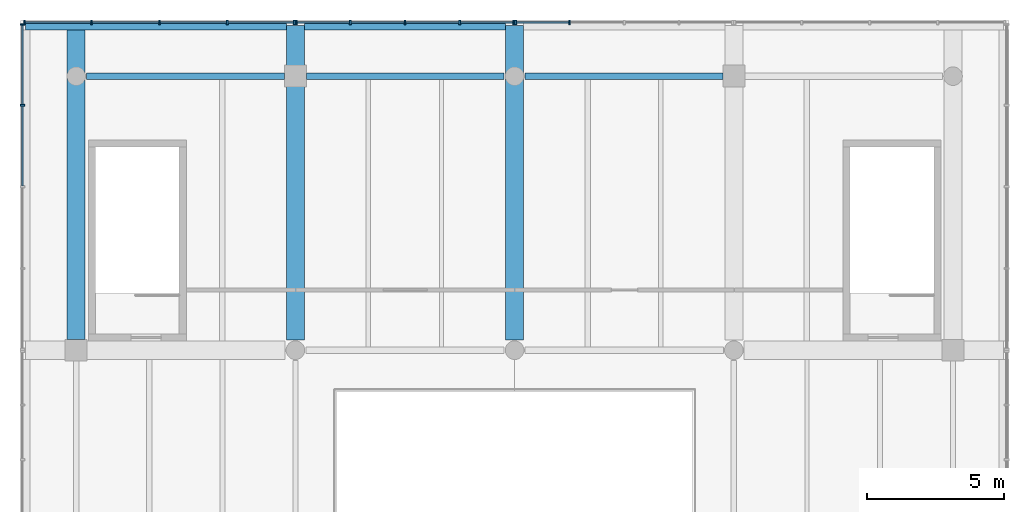
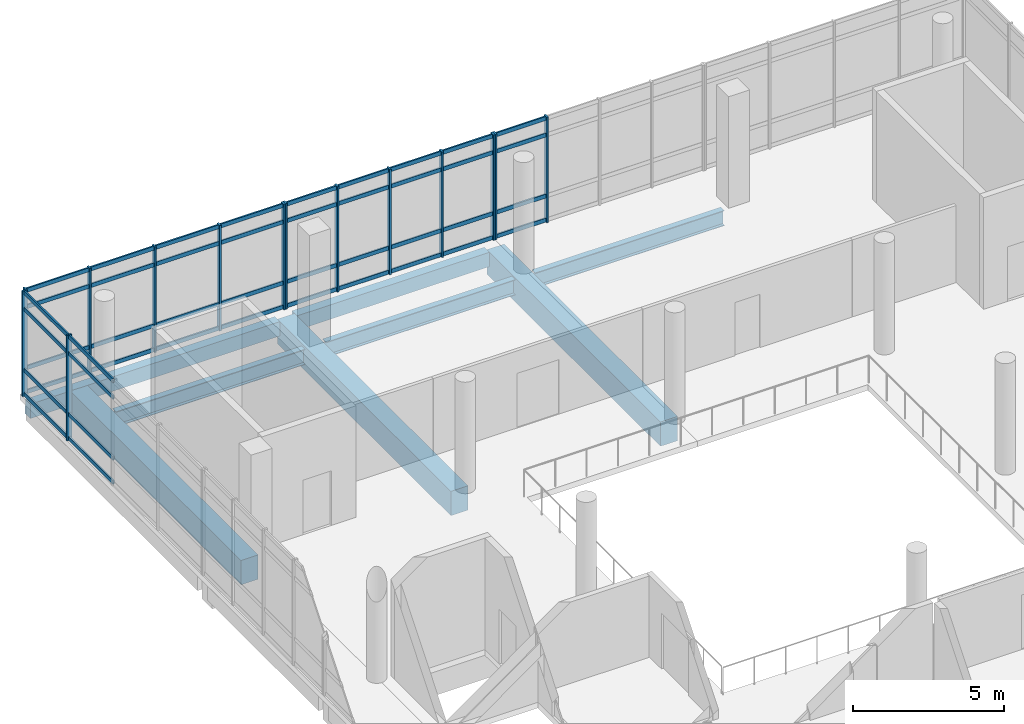
# One storey, part 8 of 15: 58 members, 8 beams, 4 elements without a shape of their own.
"""IFC4 building model written with IfcOpenShell, lengths in metres."""

from ifc_helpers import new_model, si_unit, direction, frame, origin, origin_2d, place, context, subcontext, project, spatial, rectangle, i_section, extrude, material, material_profile, profile_set, type_object, element, aggregate, save


model = new_model("IFC4")

# Units and contexts
model_context = context("Model", 3, precision=1e-05, world=origin(), true_north=direction((0.0, 1.0)))
body_context = subcontext(model_context, "Body", "Model", "MODEL_VIEW")
ifc_project = project(units=[si_unit("LENGTHUNIT", "METRE"), si_unit("AREAUNIT", "SQUARE_METRE"), si_unit("VOLUMEUNIT", "CUBIC_METRE"), si_unit("PLANEANGLEUNIT", "RADIAN"), si_unit("MASSUNIT", "GRAM", prefix="KILO")], contexts=[model_context])

# Site, building, storey
site_placement = place(None, origin())
site = spatial("IfcSite", under=ifc_project, at=site_placement, CompositionType="ELEMENT")
building_placement = place(site_placement, origin())
building = spatial("IfcBuilding", under=site, at=building_placement, Name="Pecanmere Concourse Central Library", CompositionType="ELEMENT")
storey_placement = place(building_placement, frame((0.0, 0.0, 30.300048828125)))
storey = spatial("IfcBuildingStorey", under=building, at=storey_placement, Name="L07", CompositionType="ELEMENT", Elevation=30.300048828125)

# Curtain wall, members
ifc_material_1 = material(Name="Anodized bronze aluminium alloy 6063-T6", Category="aluminium")
curtain_wall_type = type_object("IfcCurtainWallType", Name="CW_PLUMB_BANDED", PredefinedType="USERDEFINED", material=ifc_material_1)
curtain_wall_1_placement = place(storey_placement, origin())
curtain_wall_1 = element("IfcCurtainWall", 1, at=curtain_wall_1_placement, inside=storey, type_object=curtain_wall_type, Name="Unitised Curtain Wall CW-02 L07-086", ObjectType="UNITISED CURTAIN WALL", PredefinedType="USERDEFINED")
ifc_material_2 = material(Name="Anodized bronze aluminium alloy 6063-T6", Category="aluminium")
ifc_material_profile_1 = material_profile(ifc_material_2, rectangle(XDim=0.06494140625, YDim=0.179931640625, at=origin_2d()), Name="AL 65x180")
ifc_profile_set_1 = profile_set([ifc_material_profile_1], Name="Anodized bronze aluminium alloy 6063-T6")
member_type_1 = type_object("IfcMemberType", Name="CWM_180x65", PredefinedType="MULLION", material=ifc_profile_set_1)
member_1_placement = place(storey_placement, frame((90.00244140625, 125.96142578125, 0.0), z_axis=(0.0, 0.0, 1.0), x_axis=(-1.0, 0.0, 0.0)))
member_1 = element("IfcMember", 2, at=member_1_placement, type_object=member_type_1, Name="CW-02 Mullion 4", PredefinedType="MULLION", context=body_context, shape_type="SweptSolid", body=[
    extrude(rectangle(XDim=0.06494140625, YDim=0.179931640625, at=origin_2d()), origin(), (0.0, 0.0, 1.0), 4.260009765625),
])
member_2_placement = place(storey_placement, frame((88.03759765625, 125.96142578125, 0.0), z_axis=(0.0, 0.0, 1.0), x_axis=(-1.0, 0.0, 0.0)))
member_2 = element("IfcMember", 3, at=member_2_placement, type_object=member_type_1, Name="CW-02 Mullion 5", PredefinedType="MULLION", context=body_context, shape_type="SweptSolid", body=[
    extrude(rectangle(XDim=0.06494140625, YDim=0.179931640625, at=origin_2d()), origin(), (0.0, 0.0, 1.0), 4.260009765625),
])

curtain_wall_2_placement = place(storey_placement, origin())
curtain_wall_2 = element("IfcCurtainWall", 4, at=curtain_wall_2_placement, inside=storey, type_object=curtain_wall_type, Name="Unitised Curtain Wall CW-02 L07-087", ObjectType="UNITISED CURTAIN WALL", PredefinedType="USERDEFINED")
member_3_placement = place(storey_placement, frame((87.96240234375, 125.96142578125, 0.0), z_axis=(0.0, 0.0, 1.0), x_axis=(-1.0, 0.0, 0.0)))
member_3 = element("IfcMember", 5, at=member_3_placement, type_object=member_type_1, Name="CW-02 Mullion 1", PredefinedType="MULLION", context=body_context, shape_type="SweptSolid", body=[
    extrude(rectangle(XDim=0.06494140625, YDim=0.179931640625, at=origin_2d()), origin(), (0.0, 0.0, 1.0), 4.260009765625),
])
member_4_placement = place(storey_placement, frame((85.99755859375, 125.96142578125, 0.0), z_axis=(0.0, 0.0, 1.0), x_axis=(-1.0, 0.0, 0.0)))
member_4 = element("IfcMember", 6, at=member_4_placement, type_object=member_type_1, Name="CW-02 Mullion 2", PredefinedType="MULLION", context=body_context, shape_type="SweptSolid", body=[
    extrude(rectangle(XDim=0.06494140625, YDim=0.179931640625, at=origin_2d()), origin(), (0.0, 0.0, 1.0), 4.260009765625),
])
member_5_placement = place(storey_placement, frame((84.0, 125.96142578125, 0.0), z_axis=(0.0, 0.0, 1.0), x_axis=(-1.0, 0.0, 0.0)))
member_5 = element("IfcMember", 7, at=member_5_placement, type_object=member_type_1, Name="CW-02 Mullion 3", PredefinedType="MULLION", context=body_context, shape_type="SweptSolid", body=[
    extrude(rectangle(XDim=0.06494140625, YDim=0.179931640625, at=origin_2d()), origin(), (0.0, 0.0, 1.0), 4.260009765625),
])
member_6_placement = place(storey_placement, frame((82.00244140625, 125.96142578125, 0.0), z_axis=(0.0, 0.0, 1.0), x_axis=(-1.0, 0.0, 0.0)))
member_6 = element("IfcMember", 8, at=member_6_placement, type_object=member_type_1, Name="CW-02 Mullion 4", PredefinedType="MULLION", context=body_context, shape_type="SweptSolid", body=[
    extrude(rectangle(XDim=0.06494140625, YDim=0.179931640625, at=origin_2d()), origin(), (0.0, 0.0, 1.0), 4.260009765625),
])
member_7_placement = place(storey_placement, frame((80.03759765625, 125.96142578125, 0.0), z_axis=(0.0, 0.0, 1.0), x_axis=(-1.0, 0.0, 0.0)))
member_7 = element("IfcMember", 9, at=member_7_placement, type_object=member_type_1, Name="CW-02 Mullion 5", PredefinedType="MULLION", context=body_context, shape_type="SweptSolid", body=[
    extrude(rectangle(XDim=0.06494140625, YDim=0.179931640625, at=origin_2d()), origin(), (0.0, 0.0, 1.0), 4.260009765625),
])

curtain_wall_3_placement = place(storey_placement, origin())
curtain_wall_3 = element("IfcCurtainWall", 10, at=curtain_wall_3_placement, inside=storey, type_object=curtain_wall_type, Name="Unitised Curtain Wall CW-02 L07-088", ObjectType="UNITISED CURTAIN WALL", PredefinedType="USERDEFINED")
member_8_placement = place(storey_placement, frame((79.96240234375, 125.96142578125, 0.0), z_axis=(0.0, 0.0, 1.0), x_axis=(-1.0, 0.0, 0.0)))
member_8 = element("IfcMember", 11, at=member_8_placement, type_object=member_type_1, Name="CW-02 Mullion 1", PredefinedType="MULLION", context=body_context, shape_type="SweptSolid", body=[
    extrude(rectangle(XDim=0.06494140625, YDim=0.179931640625, at=origin_2d()), origin(), (0.0, 0.0, 1.0), 4.260009765625),
])
member_9_placement = place(storey_placement, frame((77.515869140625, 125.96142578125, 0.0), z_axis=(0.0, 0.0, 1.0), x_axis=(-1.0, 0.0, 0.0)))
member_9 = element("IfcMember", 12, at=member_9_placement, type_object=member_type_1, Name="CW-02 Mullion 2", PredefinedType="MULLION", context=body_context, shape_type="SweptSolid", body=[
    extrude(rectangle(XDim=0.06494140625, YDim=0.179931640625, at=origin_2d()), origin(), (0.0, 0.0, 1.0), 4.260009765625),
])
member_10_placement = place(storey_placement, frame((75.036865234375, 125.96142578125, 0.0), z_axis=(0.0, 0.0, 1.0), x_axis=(-1.0, 0.0, 0.0)))
member_10 = element("IfcMember", 13, at=member_10_placement, type_object=member_type_1, Name="CW-02 Mullion 3", PredefinedType="MULLION", context=body_context, shape_type="SweptSolid", body=[
    extrude(rectangle(XDim=0.06494140625, YDim=0.179931640625, at=origin_2d()), origin(), (0.0, 0.0, 1.0), 4.260009765625),
])
member_11_placement = place(storey_placement, frame((72.5576171875, 125.96142578125, 0.0), z_axis=(0.0, 0.0, 1.0), x_axis=(-1.0, 0.0, 0.0)))
member_11 = element("IfcMember", 14, at=member_11_placement, type_object=member_type_1, Name="CW-02 Mullion 4", PredefinedType="MULLION", context=body_context, shape_type="SweptSolid", body=[
    extrude(rectangle(XDim=0.06494140625, YDim=0.179931640625, at=origin_2d()), origin(), (0.0, 0.0, 1.0), 4.260009765625),
])
member_12_placement = place(storey_placement, frame((70.111083984375, 125.96142578125, 0.0), z_axis=(0.0, 0.0, 1.0), x_axis=(-1.0, 0.0, 0.0)))
member_12 = element("IfcMember", 15, at=member_12_placement, type_object=member_type_1, Name="CW-02 Mullion 5", PredefinedType="MULLION", context=body_context, shape_type="SweptSolid", body=[
    extrude(rectangle(XDim=0.06494140625, YDim=0.179931640625, at=origin_2d()), origin(), (0.0, 0.0, 1.0), 4.260009765625),
])

curtain_wall_4_placement = place(storey_placement, origin())
curtain_wall_4 = element("IfcCurtainWall", 16, at=curtain_wall_4_placement, inside=storey, type_object=curtain_wall_type, Name="Unitised Curtain Wall CW-02 L07-097", ObjectType="UNITISED CURTAIN WALL", PredefinedType="USERDEFINED")
member_13_placement = place(storey_placement, frame((70.03857421875, 125.888916015625, 0.0), z_axis=(0.0, 0.0, 1.0), x_axis=(0.0, -1.0, 0.0)))
member_13 = element("IfcMember", 17, at=member_13_placement, type_object=member_type_1, Name="CW-02 Mullion 1", PredefinedType="MULLION", context=body_context, shape_type="SweptSolid", body=[
    extrude(rectangle(XDim=0.06494140625, YDim=0.179931640625, at=origin_2d()), origin(), (0.0, 0.0, 1.0), 4.260009765625),
])
member_14_placement = place(storey_placement, frame((70.03857421875, 122.9423828125, 0.0), z_axis=(0.0, 0.0, 1.0), x_axis=(0.0, -1.0, 0.0)))
member_14 = element("IfcMember", 18, at=member_14_placement, type_object=member_type_1, Name="CW-02 Mullion 2", PredefinedType="MULLION", context=body_context, shape_type="SweptSolid", body=[
    extrude(rectangle(XDim=0.06494140625, YDim=0.179931640625, at=origin_2d()), origin(), (0.0, 0.0, 1.0), 4.260009765625),
])

# Member
ifc_material_3 = material(Name="Anodized bronze aluminium alloy 6063-T6", Category="aluminium")
ifc_material_profile_2 = material_profile(ifc_material_3, rectangle(XDim=0.06005859375, YDim=0.159912109375, at=origin_2d()), Name="AL 60x160")
ifc_profile_set_2 = profile_set([ifc_material_profile_2], Name="Anodized bronze aluminium alloy 6063-T6")
member_type_2 = type_object("IfcMemberType", Name="CWT_160x60", PredefinedType="USERDEFINED", material=ifc_profile_set_2)
member_15_placement = place(storey_placement, frame((89.969970703125, 125.96142578125, 0.079833984375), z_axis=(-1.0, 0.0, 0.0), x_axis=(0.0, -1.0, 0.0)))
member_15 = element("IfcMember", 19, at=member_15_placement, type_object=member_type_2, Name="CW-02 Transom 4.1", ObjectType="TRANSOM", PredefinedType="USERDEFINED", context=body_context, shape_type="SweptSolid", body=[
    extrude(rectangle(XDim=0.06005859375, YDim=0.159912109375, at=origin_2d()), origin(), (0.0, 0.0, 1.0), 1.89990234375),
])

member_16_placement = place(storey_placement, frame((89.969970703125, 125.96142578125, 1.050048828125), z_axis=(-1.0, 0.0, 0.0), x_axis=(0.0, -1.0, 0.0)))
member_16 = element("IfcMember", 20, at=member_16_placement, type_object=member_type_2, Name="CW-02 Transom 4.2", ObjectType="TRANSOM", PredefinedType="USERDEFINED", context=body_context, shape_type="SweptSolid", body=[
    extrude(rectangle(XDim=0.06005859375, YDim=0.159912109375, at=origin_2d()), origin(), (0.0, 0.0, 1.0), 1.89990234375),
])

member_17_placement = place(storey_placement, frame((89.969970703125, 125.96142578125, 3.510009765625), z_axis=(-1.0, 0.0, 0.0), x_axis=(0.0, -1.0, 0.0)))
member_17 = element("IfcMember", 21, at=member_17_placement, type_object=member_type_2, Name="CW-02 Transom 4.3", ObjectType="TRANSOM", PredefinedType="USERDEFINED", context=body_context, shape_type="SweptSolid", body=[
    extrude(rectangle(XDim=0.06005859375, YDim=0.159912109375, at=origin_2d()), origin(), (0.0, 0.0, 1.0), 1.89990234375),
])

member_18_placement = place(storey_placement, frame((89.969970703125, 125.96142578125, 4.179931640625), z_axis=(-1.0, 0.0, 0.0), x_axis=(0.0, -1.0, 0.0)))
member_18 = element("IfcMember", 22, at=member_18_placement, type_object=member_type_2, Name="CW-02 Transom 4.4", ObjectType="TRANSOM", PredefinedType="USERDEFINED", context=body_context, shape_type="SweptSolid", body=[
    extrude(rectangle(XDim=0.06005859375, YDim=0.159912109375, at=origin_2d()), origin(), (0.0, 0.0, 1.0), 1.89990234375),
])

aggregate(curtain_wall_1, [member_1, member_2, member_15, member_16, member_17, member_18])

member_19_placement = place(storey_placement, frame((87.929931640625, 125.96142578125, 0.079833984375), z_axis=(-1.0, 0.0, 0.0), x_axis=(0.0, -1.0, 0.0)))
member_19 = element("IfcMember", 23, at=member_19_placement, type_object=member_type_2, Name="CW-02 Transom 1.1", ObjectType="TRANSOM", PredefinedType="USERDEFINED", context=body_context, shape_type="SweptSolid", body=[
    extrude(rectangle(XDim=0.06005859375, YDim=0.159912109375, at=origin_2d()), origin(), (0.0, 0.0, 1.0), 1.89990234375),
])

member_20_placement = place(storey_placement, frame((87.929931640625, 125.96142578125, 1.050048828125), z_axis=(-1.0, 0.0, 0.0), x_axis=(0.0, -1.0, 0.0)))
member_20 = element("IfcMember", 24, at=member_20_placement, type_object=member_type_2, Name="CW-02 Transom 1.2", ObjectType="TRANSOM", PredefinedType="USERDEFINED", context=body_context, shape_type="SweptSolid", body=[
    extrude(rectangle(XDim=0.06005859375, YDim=0.159912109375, at=origin_2d()), origin(), (0.0, 0.0, 1.0), 1.89990234375),
])

member_21_placement = place(storey_placement, frame((87.929931640625, 125.96142578125, 3.510009765625), z_axis=(-1.0, 0.0, 0.0), x_axis=(0.0, -1.0, 0.0)))
member_21 = element("IfcMember", 25, at=member_21_placement, type_object=member_type_2, Name="CW-02 Transom 1.3", ObjectType="TRANSOM", PredefinedType="USERDEFINED", context=body_context, shape_type="SweptSolid", body=[
    extrude(rectangle(XDim=0.06005859375, YDim=0.159912109375, at=origin_2d()), origin(), (0.0, 0.0, 1.0), 1.89990234375),
])

member_22_placement = place(storey_placement, frame((87.929931640625, 125.96142578125, 4.179931640625), z_axis=(-1.0, 0.0, 0.0), x_axis=(0.0, -1.0, 0.0)))
member_22 = element("IfcMember", 26, at=member_22_placement, type_object=member_type_2, Name="CW-02 Transom 1.4", ObjectType="TRANSOM", PredefinedType="USERDEFINED", context=body_context, shape_type="SweptSolid", body=[
    extrude(rectangle(XDim=0.06005859375, YDim=0.159912109375, at=origin_2d()), origin(), (0.0, 0.0, 1.0), 1.89990234375),
])

member_23_placement = place(storey_placement, frame((85.965087890625, 125.96142578125, 0.079833984375), z_axis=(-1.0, 0.0, 0.0), x_axis=(0.0, -1.0, 0.0)))
member_23 = element("IfcMember", 27, at=member_23_placement, type_object=member_type_2, Name="CW-02 Transom 2.1", ObjectType="TRANSOM", PredefinedType="USERDEFINED", context=body_context, shape_type="SweptSolid", body=[
    extrude(rectangle(XDim=0.06005859375, YDim=0.159912109375, at=origin_2d()), origin(), (0.0, 0.0, 1.0), 1.9326171875),
])

member_24_placement = place(storey_placement, frame((85.965087890625, 125.96142578125, 1.050048828125), z_axis=(-1.0, 0.0, 0.0), x_axis=(0.0, -1.0, 0.0)))
member_24 = element("IfcMember", 28, at=member_24_placement, type_object=member_type_2, Name="CW-02 Transom 2.2", ObjectType="TRANSOM", PredefinedType="USERDEFINED", context=body_context, shape_type="SweptSolid", body=[
    extrude(rectangle(XDim=0.06005859375, YDim=0.159912109375, at=origin_2d()), origin(), (0.0, 0.0, 1.0), 1.9326171875),
])

member_25_placement = place(storey_placement, frame((85.965087890625, 125.96142578125, 3.510009765625), z_axis=(-1.0, 0.0, 0.0), x_axis=(0.0, -1.0, 0.0)))
member_25 = element("IfcMember", 29, at=member_25_placement, type_object=member_type_2, Name="CW-02 Transom 2.3", ObjectType="TRANSOM", PredefinedType="USERDEFINED", context=body_context, shape_type="SweptSolid", body=[
    extrude(rectangle(XDim=0.06005859375, YDim=0.159912109375, at=origin_2d()), origin(), (0.0, 0.0, 1.0), 1.9326171875),
])

member_26_placement = place(storey_placement, frame((85.965087890625, 125.96142578125, 4.179931640625), z_axis=(-1.0, 0.0, 0.0), x_axis=(0.0, -1.0, 0.0)))
member_26 = element("IfcMember", 30, at=member_26_placement, type_object=member_type_2, Name="CW-02 Transom 2.4", ObjectType="TRANSOM", PredefinedType="USERDEFINED", context=body_context, shape_type="SweptSolid", body=[
    extrude(rectangle(XDim=0.06005859375, YDim=0.159912109375, at=origin_2d()), origin(), (0.0, 0.0, 1.0), 1.9326171875),
])

member_27_placement = place(storey_placement, frame((83.967529296875, 125.96142578125, 0.079833984375), z_axis=(-1.0, 0.0, 0.0), x_axis=(0.0, -1.0, 0.0)))
member_27 = element("IfcMember", 31, at=member_27_placement, type_object=member_type_2, Name="CW-02 Transom 3.1", ObjectType="TRANSOM", PredefinedType="USERDEFINED", context=body_context, shape_type="SweptSolid", body=[
    extrude(rectangle(XDim=0.06005859375, YDim=0.159912109375, at=origin_2d()), origin(), (0.0, 0.0, 1.0), 1.9326171875),
])

member_28_placement = place(storey_placement, frame((83.967529296875, 125.96142578125, 1.050048828125), z_axis=(-1.0, 0.0, 0.0), x_axis=(0.0, -1.0, 0.0)))
member_28 = element("IfcMember", 32, at=member_28_placement, type_object=member_type_2, Name="CW-02 Transom 3.2", ObjectType="TRANSOM", PredefinedType="USERDEFINED", context=body_context, shape_type="SweptSolid", body=[
    extrude(rectangle(XDim=0.06005859375, YDim=0.159912109375, at=origin_2d()), origin(), (0.0, 0.0, 1.0), 1.9326171875),
])

member_29_placement = place(storey_placement, frame((83.967529296875, 125.96142578125, 3.510009765625), z_axis=(-1.0, 0.0, 0.0), x_axis=(0.0, -1.0, 0.0)))
member_29 = element("IfcMember", 33, at=member_29_placement, type_object=member_type_2, Name="CW-02 Transom 3.3", ObjectType="TRANSOM", PredefinedType="USERDEFINED", context=body_context, shape_type="SweptSolid", body=[
    extrude(rectangle(XDim=0.06005859375, YDim=0.159912109375, at=origin_2d()), origin(), (0.0, 0.0, 1.0), 1.9326171875),
])

member_30_placement = place(storey_placement, frame((83.967529296875, 125.96142578125, 4.179931640625), z_axis=(-1.0, 0.0, 0.0), x_axis=(0.0, -1.0, 0.0)))
member_30 = element("IfcMember", 34, at=member_30_placement, type_object=member_type_2, Name="CW-02 Transom 3.4", ObjectType="TRANSOM", PredefinedType="USERDEFINED", context=body_context, shape_type="SweptSolid", body=[
    extrude(rectangle(XDim=0.06005859375, YDim=0.159912109375, at=origin_2d()), origin(), (0.0, 0.0, 1.0), 1.9326171875),
])

member_31_placement = place(storey_placement, frame((81.969970703125, 125.96142578125, 0.079833984375), z_axis=(-1.0, 0.0, 0.0), x_axis=(0.0, -1.0, 0.0)))
member_31 = element("IfcMember", 35, at=member_31_placement, type_object=member_type_2, Name="CW-02 Transom 4.1", ObjectType="TRANSOM", PredefinedType="USERDEFINED", context=body_context, shape_type="SweptSolid", body=[
    extrude(rectangle(XDim=0.06005859375, YDim=0.159912109375, at=origin_2d()), origin(), (0.0, 0.0, 1.0), 1.89990234375),
])

member_32_placement = place(storey_placement, frame((81.969970703125, 125.96142578125, 1.050048828125), z_axis=(-1.0, 0.0, 0.0), x_axis=(0.0, -1.0, 0.0)))
member_32 = element("IfcMember", 36, at=member_32_placement, type_object=member_type_2, Name="CW-02 Transom 4.2", ObjectType="TRANSOM", PredefinedType="USERDEFINED", context=body_context, shape_type="SweptSolid", body=[
    extrude(rectangle(XDim=0.06005859375, YDim=0.159912109375, at=origin_2d()), origin(), (0.0, 0.0, 1.0), 1.89990234375),
])

member_33_placement = place(storey_placement, frame((81.969970703125, 125.96142578125, 3.510009765625), z_axis=(-1.0, 0.0, 0.0), x_axis=(0.0, -1.0, 0.0)))
member_33 = element("IfcMember", 37, at=member_33_placement, type_object=member_type_2, Name="CW-02 Transom 4.3", ObjectType="TRANSOM", PredefinedType="USERDEFINED", context=body_context, shape_type="SweptSolid", body=[
    extrude(rectangle(XDim=0.06005859375, YDim=0.159912109375, at=origin_2d()), origin(), (0.0, 0.0, 1.0), 1.89990234375),
])

member_34_placement = place(storey_placement, frame((81.969970703125, 125.96142578125, 4.179931640625), z_axis=(-1.0, 0.0, 0.0), x_axis=(0.0, -1.0, 0.0)))
member_34 = element("IfcMember", 38, at=member_34_placement, type_object=member_type_2, Name="CW-02 Transom 4.4", ObjectType="TRANSOM", PredefinedType="USERDEFINED", context=body_context, shape_type="SweptSolid", body=[
    extrude(rectangle(XDim=0.06005859375, YDim=0.159912109375, at=origin_2d()), origin(), (0.0, 0.0, 1.0), 1.89990234375),
])

aggregate(curtain_wall_2, [member_3, member_4, member_5, member_6, member_7, member_19, member_20, member_21, member_22, member_23, member_24, member_25, member_26, member_27, member_28, member_29, member_30, member_31, member_32, member_33, member_34])

member_35_placement = place(storey_placement, frame((79.929931640625, 125.96142578125, 0.079833984375), z_axis=(-1.0, 0.0, 0.0), x_axis=(0.0, -1.0, 0.0)))
member_35 = element("IfcMember", 39, at=member_35_placement, type_object=member_type_2, Name="CW-02 Transom 1.1", ObjectType="TRANSOM", PredefinedType="USERDEFINED", context=body_context, shape_type="SweptSolid", body=[
    extrude(rectangle(XDim=0.06005859375, YDim=0.159912109375, at=origin_2d()), origin(), (0.0, 0.0, 1.0), 2.381591796875),
])

member_36_placement = place(storey_placement, frame((79.929931640625, 125.96142578125, 1.050048828125), z_axis=(-1.0, 0.0, 0.0), x_axis=(0.0, -1.0, 0.0)))
member_36 = element("IfcMember", 40, at=member_36_placement, type_object=member_type_2, Name="CW-02 Transom 1.2", ObjectType="TRANSOM", PredefinedType="USERDEFINED", context=body_context, shape_type="SweptSolid", body=[
    extrude(rectangle(XDim=0.06005859375, YDim=0.159912109375, at=origin_2d()), origin(), (0.0, 0.0, 1.0), 2.381591796875),
])

member_37_placement = place(storey_placement, frame((79.929931640625, 125.96142578125, 3.510009765625), z_axis=(-1.0, 0.0, 0.0), x_axis=(0.0, -1.0, 0.0)))
member_37 = element("IfcMember", 41, at=member_37_placement, type_object=member_type_2, Name="CW-02 Transom 1.3", ObjectType="TRANSOM", PredefinedType="USERDEFINED", context=body_context, shape_type="SweptSolid", body=[
    extrude(rectangle(XDim=0.06005859375, YDim=0.159912109375, at=origin_2d()), origin(), (0.0, 0.0, 1.0), 2.381591796875),
])

member_38_placement = place(storey_placement, frame((79.929931640625, 125.96142578125, 4.179931640625), z_axis=(-1.0, 0.0, 0.0), x_axis=(0.0, -1.0, 0.0)))
member_38 = element("IfcMember", 42, at=member_38_placement, type_object=member_type_2, Name="CW-02 Transom 1.4", ObjectType="TRANSOM", PredefinedType="USERDEFINED", context=body_context, shape_type="SweptSolid", body=[
    extrude(rectangle(XDim=0.06005859375, YDim=0.159912109375, at=origin_2d()), origin(), (0.0, 0.0, 1.0), 2.381591796875),
])

member_39_placement = place(storey_placement, frame((77.4833984375, 125.96142578125, 0.079833984375), z_axis=(-1.0, 0.0, 0.0), x_axis=(0.0, -1.0, 0.0)))
member_39 = element("IfcMember", 43, at=member_39_placement, type_object=member_type_2, Name="CW-02 Transom 2.1", ObjectType="TRANSOM", PredefinedType="USERDEFINED", context=body_context, shape_type="SweptSolid", body=[
    extrude(rectangle(XDim=0.06005859375, YDim=0.159912109375, at=origin_2d()), origin(), (0.0, 0.0, 1.0), 2.4140625),
])

member_40_placement = place(storey_placement, frame((77.4833984375, 125.96142578125, 1.050048828125), z_axis=(-1.0, 0.0, 0.0), x_axis=(0.0, -1.0, 0.0)))
member_40 = element("IfcMember", 44, at=member_40_placement, type_object=member_type_2, Name="CW-02 Transom 2.2", ObjectType="TRANSOM", PredefinedType="USERDEFINED", context=body_context, shape_type="SweptSolid", body=[
    extrude(rectangle(XDim=0.06005859375, YDim=0.159912109375, at=origin_2d()), origin(), (0.0, 0.0, 1.0), 2.4140625),
])

member_41_placement = place(storey_placement, frame((77.4833984375, 125.96142578125, 3.510009765625), z_axis=(-1.0, 0.0, 0.0), x_axis=(0.0, -1.0, 0.0)))
member_41 = element("IfcMember", 45, at=member_41_placement, type_object=member_type_2, Name="CW-02 Transom 2.3", ObjectType="TRANSOM", PredefinedType="USERDEFINED", context=body_context, shape_type="SweptSolid", body=[
    extrude(rectangle(XDim=0.06005859375, YDim=0.159912109375, at=origin_2d()), origin(), (0.0, 0.0, 1.0), 2.4140625),
])

member_42_placement = place(storey_placement, frame((77.4833984375, 125.96142578125, 4.179931640625), z_axis=(-1.0, 0.0, 0.0), x_axis=(0.0, -1.0, 0.0)))
member_42 = element("IfcMember", 46, at=member_42_placement, type_object=member_type_2, Name="CW-02 Transom 2.4", ObjectType="TRANSOM", PredefinedType="USERDEFINED", context=body_context, shape_type="SweptSolid", body=[
    extrude(rectangle(XDim=0.06005859375, YDim=0.159912109375, at=origin_2d()), origin(), (0.0, 0.0, 1.0), 2.4140625),
])

member_43_placement = place(storey_placement, frame((75.004150390625, 125.96142578125, 0.079833984375), z_axis=(-1.0, 0.0, 0.0), x_axis=(0.0, -1.0, 0.0)))
member_43 = element("IfcMember", 47, at=member_43_placement, type_object=member_type_2, Name="CW-02 Transom 3.1", ObjectType="TRANSOM", PredefinedType="USERDEFINED", context=body_context, shape_type="SweptSolid", body=[
    extrude(rectangle(XDim=0.06005859375, YDim=0.159912109375, at=origin_2d()), origin(), (0.0, 0.0, 1.0), 2.4140625),
])

member_44_placement = place(storey_placement, frame((75.004150390625, 125.96142578125, 1.050048828125), z_axis=(-1.0, 0.0, 0.0), x_axis=(0.0, -1.0, 0.0)))
member_44 = element("IfcMember", 48, at=member_44_placement, type_object=member_type_2, Name="CW-02 Transom 3.2", ObjectType="TRANSOM", PredefinedType="USERDEFINED", context=body_context, shape_type="SweptSolid", body=[
    extrude(rectangle(XDim=0.06005859375, YDim=0.159912109375, at=origin_2d()), origin(), (0.0, 0.0, 1.0), 2.4140625),
])

member_45_placement = place(storey_placement, frame((75.004150390625, 125.96142578125, 3.510009765625), z_axis=(-1.0, 0.0, 0.0), x_axis=(0.0, -1.0, 0.0)))
member_45 = element("IfcMember", 49, at=member_45_placement, type_object=member_type_2, Name="CW-02 Transom 3.3", ObjectType="TRANSOM", PredefinedType="USERDEFINED", context=body_context, shape_type="SweptSolid", body=[
    extrude(rectangle(XDim=0.06005859375, YDim=0.159912109375, at=origin_2d()), origin(), (0.0, 0.0, 1.0), 2.4140625),
])

member_46_placement = place(storey_placement, frame((75.004150390625, 125.96142578125, 4.179931640625), z_axis=(-1.0, 0.0, 0.0), x_axis=(0.0, -1.0, 0.0)))
member_46 = element("IfcMember", 50, at=member_46_placement, type_object=member_type_2, Name="CW-02 Transom 3.4", ObjectType="TRANSOM", PredefinedType="USERDEFINED", context=body_context, shape_type="SweptSolid", body=[
    extrude(rectangle(XDim=0.06005859375, YDim=0.159912109375, at=origin_2d()), origin(), (0.0, 0.0, 1.0), 2.4140625),
])

member_47_placement = place(storey_placement, frame((72.525146484375, 125.96142578125, 0.079833984375), z_axis=(-1.0, 0.0, 0.0), x_axis=(0.0, -1.0, 0.0)))
member_47 = element("IfcMember", 51, at=member_47_placement, type_object=member_type_2, Name="CW-02 Transom 4.1", ObjectType="TRANSOM", PredefinedType="USERDEFINED", context=body_context, shape_type="SweptSolid", body=[
    extrude(rectangle(XDim=0.06005859375, YDim=0.159912109375, at=origin_2d()), origin(), (0.0, 0.0, 1.0), 2.381591796875),
])

member_48_placement = place(storey_placement, frame((72.525146484375, 125.96142578125, 1.050048828125), z_axis=(-1.0, 0.0, 0.0), x_axis=(0.0, -1.0, 0.0)))
member_48 = element("IfcMember", 52, at=member_48_placement, type_object=member_type_2, Name="CW-02 Transom 4.2", ObjectType="TRANSOM", PredefinedType="USERDEFINED", context=body_context, shape_type="SweptSolid", body=[
    extrude(rectangle(XDim=0.06005859375, YDim=0.159912109375, at=origin_2d()), origin(), (0.0, 0.0, 1.0), 2.381591796875),
])

member_49_placement = place(storey_placement, frame((72.525146484375, 125.96142578125, 3.510009765625), z_axis=(-1.0, 0.0, 0.0), x_axis=(0.0, -1.0, 0.0)))
member_49 = element("IfcMember", 53, at=member_49_placement, type_object=member_type_2, Name="CW-02 Transom 4.3", ObjectType="TRANSOM", PredefinedType="USERDEFINED", context=body_context, shape_type="SweptSolid", body=[
    extrude(rectangle(XDim=0.06005859375, YDim=0.159912109375, at=origin_2d()), origin(), (0.0, 0.0, 1.0), 2.381591796875),
])

member_50_placement = place(storey_placement, frame((72.525146484375, 125.96142578125, 4.179931640625), z_axis=(-1.0, 0.0, 0.0), x_axis=(0.0, -1.0, 0.0)))
member_50 = element("IfcMember", 54, at=member_50_placement, type_object=member_type_2, Name="CW-02 Transom 4.4", ObjectType="TRANSOM", PredefinedType="USERDEFINED", context=body_context, shape_type="SweptSolid", body=[
    extrude(rectangle(XDim=0.06005859375, YDim=0.159912109375, at=origin_2d()), origin(), (0.0, 0.0, 1.0), 2.381591796875),
])

aggregate(curtain_wall_3, [member_8, member_9, member_10, member_11, member_12, member_35, member_36, member_37, member_38, member_39, member_40, member_41, member_42, member_43, member_44, member_45, member_46, member_47, member_48, member_49, member_50])

member_51_placement = place(storey_placement, frame((70.03857421875, 125.8564453125, 0.079833984375), z_axis=(0.0, -1.0, 0.0), x_axis=(1.0, 0.0, 0.0)))
member_51 = element("IfcMember", 55, at=member_51_placement, type_object=member_type_2, Name="CW-02 Transom 1.1", ObjectType="TRANSOM", PredefinedType="USERDEFINED", context=body_context, shape_type="SweptSolid", body=[
    extrude(rectangle(XDim=0.06005859375, YDim=0.159912109375, at=origin_2d()), origin(), (0.0, 0.0, 1.0), 2.881591796875),
])

member_52_placement = place(storey_placement, frame((70.03857421875, 125.8564453125, 1.050048828125), z_axis=(0.0, -1.0, 0.0), x_axis=(1.0, 0.0, 0.0)))
member_52 = element("IfcMember", 56, at=member_52_placement, type_object=member_type_2, Name="CW-02 Transom 1.2", ObjectType="TRANSOM", PredefinedType="USERDEFINED", context=body_context, shape_type="SweptSolid", body=[
    extrude(rectangle(XDim=0.06005859375, YDim=0.159912109375, at=origin_2d()), origin(), (0.0, 0.0, 1.0), 2.881591796875),
])

member_53_placement = place(storey_placement, frame((70.03857421875, 125.8564453125, 3.510009765625), z_axis=(0.0, -1.0, 0.0), x_axis=(1.0, 0.0, 0.0)))
member_53 = element("IfcMember", 57, at=member_53_placement, type_object=member_type_2, Name="CW-02 Transom 1.3", ObjectType="TRANSOM", PredefinedType="USERDEFINED", context=body_context, shape_type="SweptSolid", body=[
    extrude(rectangle(XDim=0.06005859375, YDim=0.159912109375, at=origin_2d()), origin(), (0.0, 0.0, 1.0), 2.881591796875),
])

member_54_placement = place(storey_placement, frame((70.03857421875, 125.8564453125, 4.179931640625), z_axis=(0.0, -1.0, 0.0), x_axis=(1.0, 0.0, 0.0)))
member_54 = element("IfcMember", 58, at=member_54_placement, type_object=member_type_2, Name="CW-02 Transom 1.4", ObjectType="TRANSOM", PredefinedType="USERDEFINED", context=body_context, shape_type="SweptSolid", body=[
    extrude(rectangle(XDim=0.06005859375, YDim=0.159912109375, at=origin_2d()), origin(), (0.0, 0.0, 1.0), 2.881591796875),
])

member_55_placement = place(storey_placement, frame((70.03857421875, 122.909912109375, 0.079833984375), z_axis=(0.0, -1.0, 0.0), x_axis=(1.0, 0.0, 0.0)))
member_55 = element("IfcMember", 59, at=member_55_placement, type_object=member_type_2, Name="CW-02 Transom 2.1", ObjectType="TRANSOM", PredefinedType="USERDEFINED", context=body_context, shape_type="SweptSolid", body=[
    extrude(rectangle(XDim=0.06005859375, YDim=0.159912109375, at=origin_2d()), origin(), (0.0, 0.0, 1.0), 2.9140625),
])

member_56_placement = place(storey_placement, frame((70.03857421875, 122.909912109375, 1.050048828125), z_axis=(0.0, -1.0, 0.0), x_axis=(1.0, 0.0, 0.0)))
member_56 = element("IfcMember", 60, at=member_56_placement, type_object=member_type_2, Name="CW-02 Transom 2.2", ObjectType="TRANSOM", PredefinedType="USERDEFINED", context=body_context, shape_type="SweptSolid", body=[
    extrude(rectangle(XDim=0.06005859375, YDim=0.159912109375, at=origin_2d()), origin(), (0.0, 0.0, 1.0), 2.9140625),
])

member_57_placement = place(storey_placement, frame((70.03857421875, 122.909912109375, 3.510009765625), z_axis=(0.0, -1.0, 0.0), x_axis=(1.0, 0.0, 0.0)))
member_57 = element("IfcMember", 61, at=member_57_placement, type_object=member_type_2, Name="CW-02 Transom 2.3", ObjectType="TRANSOM", PredefinedType="USERDEFINED", context=body_context, shape_type="SweptSolid", body=[
    extrude(rectangle(XDim=0.06005859375, YDim=0.159912109375, at=origin_2d()), origin(), (0.0, 0.0, 1.0), 2.9140625),
])

member_58_placement = place(storey_placement, frame((70.03857421875, 122.909912109375, 4.179931640625), z_axis=(0.0, -1.0, 0.0), x_axis=(1.0, 0.0, 0.0)))
member_58 = element("IfcMember", 62, at=member_58_placement, type_object=member_type_2, Name="CW-02 Transom 2.4", ObjectType="TRANSOM", PredefinedType="USERDEFINED", context=body_context, shape_type="SweptSolid", body=[
    extrude(rectangle(XDim=0.06005859375, YDim=0.159912109375, at=origin_2d()), origin(), (0.0, 0.0, 1.0), 2.9140625),
])

aggregate(curtain_wall_4, [member_13, member_14, member_51, member_52, member_53, member_54, member_55, member_56, member_57, member_58])

# Beams
ifc_material_4 = material(Name="Concrete C40/50", Category="concrete")
ifc_material_profile_3 = material_profile(ifc_material_4, rectangle(XDim=0.659912109375, YDim=0.97998046875, at=origin_2d()), Name="RC 660x980")
ifc_profile_set_3 = profile_set([ifc_material_profile_3], Name="Concrete C40/50")
beam_type_1 = type_object("IfcBeamType", Name="GRD_660x980", PredefinedType="USERDEFINED", material=ifc_profile_set_3)
beam_1_placement = place(storey_placement, frame((72.0, 114.39990234375, -0.75), z_axis=(0.0, 1.0, 0.0), x_axis=(-1.0, 0.0, 0.0)))
element("IfcBeam", 63, at=beam_1_placement, inside=storey, type_object=beam_type_1, Name="Primary Girder Y L07-2807", ObjectType="GIRDER", PredefinedType="USERDEFINED", context=body_context, shape_type="SweptSolid", body=[
    extrude(rectangle(XDim=0.659912109375, YDim=0.97998046875, at=origin_2d()), origin(), (0.0, 0.0, 1.0), 11.281494140625),
])
for number, where, z_axis, x_axis, name in (
    (64, (80.0, 114.3798828125, -0.75), (0.0, 1.0, 0.0), (-1.0, 0.0, 0.0), "Primary Girder Y L07-2811"),
    (65, (88.0, 114.3798828125, -0.75), (0.0, 1.0, 0.0), (-1.0, 0.0, 0.0), "Primary Girder Y L07-2813"),
):
    element("IfcBeam", number, at=place(storey_placement, frame(where, z_axis=z_axis, x_axis=x_axis)), inside=storey, type_object=beam_type_1, Name=name, ObjectType="GIRDER", PredefinedType="USERDEFINED", context=body_context, shape_type="SweptSolid", body=[
        extrude(rectangle(XDim=0.659912109375, YDim=0.97998046875, at=origin_2d()), origin(), (0.0, 0.0, 1.0), 11.4716796875),
    ])
ifc_material_5 = material(Name="Structural steel ASTM A992 Grade 50", Category="steel")
ifc_material_profile_4 = material_profile(ifc_material_5, i_section(OverallWidth=0.22998046875, OverallDepth=0.616943359375, WebThickness=0.01318359375, FlangeThickness=0.022216796875, at=origin_2d()), Name="W610x140")
ifc_profile_set_4 = profile_set([ifc_material_profile_4], Name="Structural steel ASTM A992 Grade 50")
beam_type_2 = type_object("IfcBeamType", Name="SBM_W610x140", PredefinedType="USERDEFINED", material=ifc_profile_set_4)
for number, where, z_axis, x_axis, name in (
    (66, (72.3798828125, 124.0, -0.568603515625), (1.0, 0.0, 0.0), (0.0, 1.0, 0.0), "Primary Girder X L07-2800"),
    (67, (80.39990234375, 124.0, -0.568603515625), (1.0, 0.0, 0.0), (0.0, 1.0, 0.0), "Primary Girder X L07-2801"),
    (68, (88.3798828125, 124.0, -0.568603515625), (1.0, 0.0, 0.0), (0.0, 1.0, 0.0), "Primary Girder X L07-2802"),
):
    element("IfcBeam", number, at=place(storey_placement, frame(where, z_axis=z_axis, x_axis=x_axis)), inside=storey, type_object=beam_type_2, Name=name, ObjectType="GIRDER", PredefinedType="USERDEFINED", context=body_context, shape_type="SweptSolid", body=[
        extrude(i_section(OverallWidth=0.22998046875, OverallDepth=0.616943359375, WebThickness=0.01318359375, FlangeThickness=0.022216796875, at=origin_2d()), origin(), (0.0, 0.0, 1.0), 7.22021484375),
    ])
ifc_material_6 = material(Name="Concrete C40/50", Category="concrete")
ifc_material_profile_5 = material_profile(ifc_material_6, rectangle(XDim=0.340087890625, YDim=0.580078125, at=origin_2d()), Name="RC 340x580")
ifc_profile_set_5 = profile_set([ifc_material_profile_5], Name="Concrete C40/50")
beam_type_3 = type_object("IfcBeamType", Name="SPB_340x580", PredefinedType="BEAM", material=ifc_profile_set_5)
beam_2_placement = place(storey_placement, frame((70.1484375, 125.8515625, -0.550048828125), z_axis=(1.0, 0.0, 0.0), x_axis=(0.0, 1.0, 0.0)))
element("IfcBeam", 69, at=beam_2_placement, inside=storey, type_object=beam_type_3, Name="Leaning Facade Edge Beam L07-2826", PredefinedType="BEAM", context=body_context, shape_type="SweptSolid", body=[
    extrude(rectangle(XDim=0.340087890625, YDim=0.580078125, at=origin_2d()), origin(), (0.0, 0.0, 1.0), 9.521484375),
])
beam_3_placement = place(storey_placement, frame((80.330078125, 125.8515625, -0.550048828125), z_axis=(1.0, 0.0, 0.0), x_axis=(0.0, 1.0, 0.0)))
element("IfcBeam", 70, at=beam_3_placement, inside=storey, type_object=beam_type_3, Name="Leaning Facade Edge Beam L07-2827", PredefinedType="BEAM", context=body_context, shape_type="SweptSolid", body=[
    extrude(rectangle(XDim=0.340087890625, YDim=0.580078125, at=origin_2d()), origin(), (0.0, 0.0, 1.0), 7.33984375),
])

save(model, "model.ifc")
